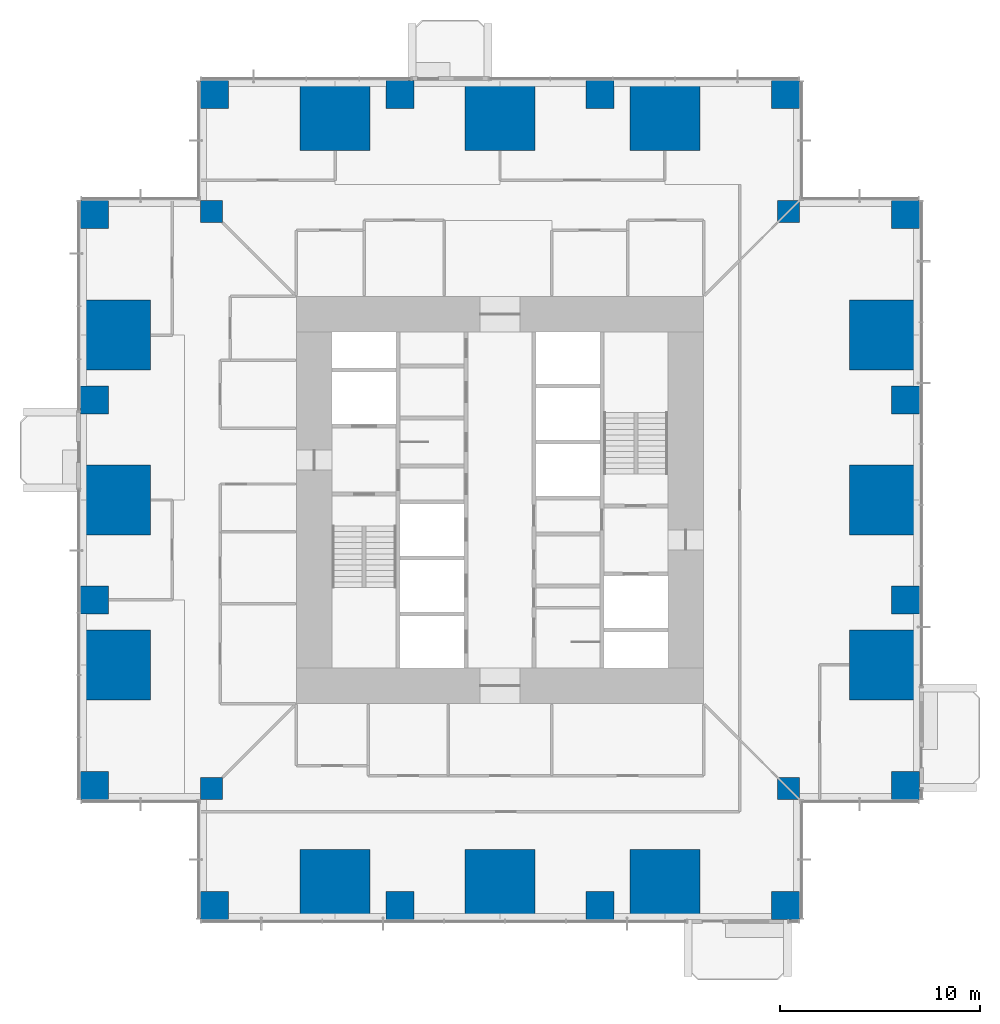
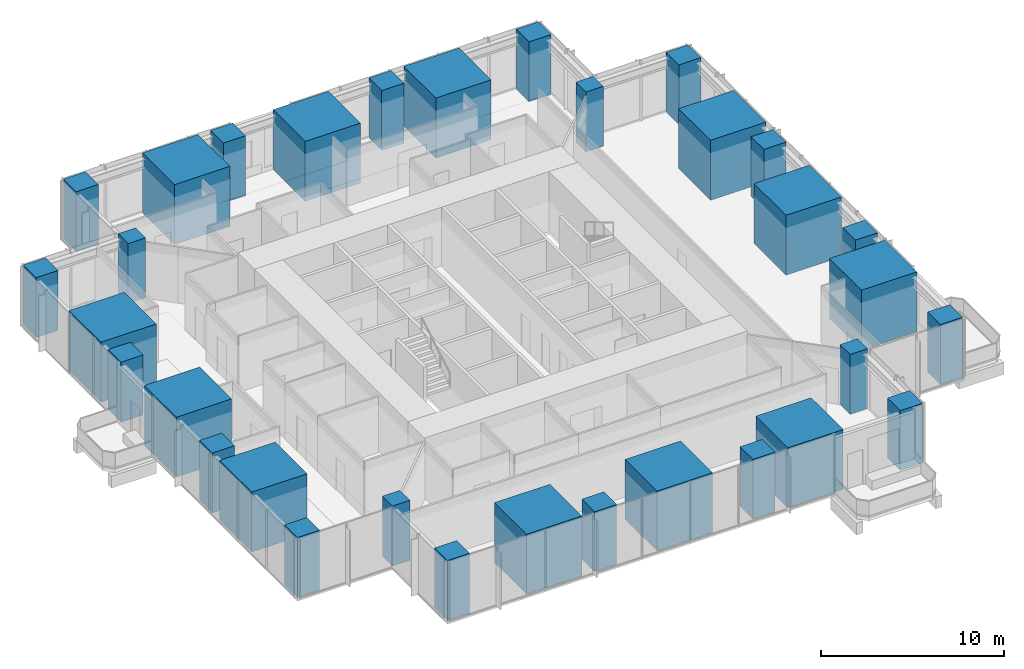
# One storey, part 1 of 15: 32 columns.
"""IFC4 building model written with IfcOpenShell, lengths in metres."""

from ifc_helpers import new_model, si_unit, direction, frame, origin, origin_2d, place, context, subcontext, project, spatial, rectangle, extrude, material, material_profile, profile_set, type_object, element, save


model = new_model("IFC4")

# Units and contexts
model_context = context("Model", 3, precision=1e-05, world=origin(), true_north=direction((0.0, 1.0)))
body_context = subcontext(model_context, "Body", "Model", "MODEL_VIEW")
ifc_project = project(units=[si_unit("LENGTHUNIT", "METRE"), si_unit("AREAUNIT", "SQUARE_METRE"), si_unit("VOLUMEUNIT", "CUBIC_METRE"), si_unit("PLANEANGLEUNIT", "RADIAN"), si_unit("MASSUNIT", "GRAM", prefix="KILO")], contexts=[model_context])

# Site, building, storey
site_placement = place(None, origin())
site = spatial("IfcSite", under=ifc_project, at=site_placement, CompositionType="ELEMENT")
building_placement = place(site_placement, origin())
building = spatial("IfcBuilding", under=site, at=building_placement, Name="Svetlomir Tower", CompositionType="ELEMENT")
storey_placement = place(building_placement, frame((0.0, 0.0, 34.5)))
storey = spatial("IfcBuildingStorey", under=building, at=storey_placement, Name="L07", CompositionType="ELEMENT", Elevation=34.5)

# Columns
ifc_material_1 = material(Name="Concrete C60/75", Category="concrete")
ifc_material_profile_1 = material_profile(ifc_material_1, rectangle(XDim=1.10009765625, YDim=1.10009765625, at=origin_2d()), Name="RC 1100x1100")
ifc_profile_set_1 = profile_set([ifc_material_profile_1], Name="Concrete C60/75")
column_type_1 = type_object("IfcColumnType", Name="COLUMN RC 1100x1100", PredefinedType="COLUMN", material=ifc_profile_set_1)
for number, where, z_axis, x_axis, name in (
    (1, (6.550048828125, 6.550048828125, 0.0), (0.0, 0.0, 1.0), (1.0, 0.0, 0.0), "Column 6/6 L07"),
    (2, (35.449951171875, 6.550048828125, 0.0), (0.0, 0.0, 1.0), (1.0, 0.0, 0.0), "Column 36/6 L07"),
    (3, (6.550048828125, 35.449951171875, 0.0), (0.0, 0.0, 1.0), (1.0, 0.0, 0.0), "Column 6/36 L07"),
    (4, (35.449951171875, 35.449951171875, 0.0), (0.0, 0.0, 1.0), (1.0, 0.0, 0.0), "Column 36/36 L07"),
):
    element("IfcColumn", number, at=place(storey_placement, frame(where, z_axis=z_axis, x_axis=x_axis)), inside=storey, type_object=column_type_1, Name=name, PredefinedType="COLUMN", context=body_context, shape_type="SweptSolid", body=[
        extrude(rectangle(XDim=1.10009765625, YDim=1.10009765625, at=origin_2d()), origin(), (0.0, 0.0, 1.0), 4.0),
    ])
ifc_material_2 = material(Name="Concrete C60/75", Category="concrete")
ifc_material_profile_2 = material_profile(ifc_material_2, rectangle(XDim=1.39990234375, YDim=1.39990234375, at=origin_2d()), Name="RC 1400x1400")
ifc_profile_set_2 = profile_set([ifc_material_profile_2], Name="Concrete C60/75")
column_type_2 = type_object("IfcColumnType", Name="COLUMN RC 1400x1400", PredefinedType="COLUMN", material=ifc_profile_set_2)
for number, where, z_axis, x_axis, name in (
    (5, (6.699951171875, 0.699951171875, 0.0), (0.0, 0.0, 1.0), (1.0, 0.0, 0.0), "Column 6/0 L07"),
    (6, (16.0, 0.699951171875, 0.0), (0.0, 0.0, 1.0), (1.0, 0.0, 0.0), "Column 16/0 L07"),
    (7, (26.0, 0.699951171875, 0.0), (0.0, 0.0, 1.0), (1.0, 0.0, 0.0), "Column 26/0 L07"),
    (8, (35.300048828125, 0.699951171875, 0.0), (0.0, 0.0, 1.0), (1.0, 0.0, 0.0), "Column 36/0 L07"),
    (9, (0.699951171875, 6.699951171875, 0.0), (0.0, 0.0, 1.0), (1.0, 0.0, 0.0), "Column 0/6 L07"),
    (10, (41.300048828125, 6.699951171875, 0.0), (0.0, 0.0, 1.0), (1.0, 0.0, 0.0), "Column 42/6 L07"),
    (11, (0.699951171875, 16.0, 0.0), (0.0, 0.0, 1.0), (1.0, 0.0, 0.0), "Column 0/16 L07"),
    (12, (41.300048828125, 16.0, 0.0), (0.0, 0.0, 1.0), (1.0, 0.0, 0.0), "Column 42/16 L07"),
    (13, (0.699951171875, 26.0, 0.0), (0.0, 0.0, 1.0), (1.0, 0.0, 0.0), "Column 0/26 L07"),
    (14, (41.300048828125, 26.0, 0.0), (0.0, 0.0, 1.0), (1.0, 0.0, 0.0), "Column 42/26 L07"),
    (15, (0.699951171875, 35.300048828125, 0.0), (0.0, 0.0, 1.0), (1.0, 0.0, 0.0), "Column 0/36 L07"),
    (16, (41.300048828125, 35.300048828125, 0.0), (0.0, 0.0, 1.0), (1.0, 0.0, 0.0), "Column 42/36 L07"),
    (17, (6.699951171875, 41.300048828125, 0.0), (0.0, 0.0, 1.0), (1.0, 0.0, 0.0), "Column 6/42 L07"),
    (18, (16.0, 41.300048828125, 0.0), (0.0, 0.0, 1.0), (1.0, 0.0, 0.0), "Column 16/42 L07"),
    (19, (26.0, 41.300048828125, 0.0), (0.0, 0.0, 1.0), (1.0, 0.0, 0.0), "Column 26/42 L07"),
    (20, (35.300048828125, 41.300048828125, 0.0), (0.0, 0.0, 1.0), (1.0, 0.0, 0.0), "Column 36/42 L07"),
):
    element("IfcColumn", number, at=place(storey_placement, frame(where, z_axis=z_axis, x_axis=x_axis)), inside=storey, type_object=column_type_2, Name=name, PredefinedType="COLUMN", context=body_context, shape_type="SweptSolid", body=[
        extrude(rectangle(XDim=1.39990234375, YDim=1.39990234375, at=origin_2d()), origin(), (0.0, 0.0, 1.0), 4.0),
    ])
ifc_material_3 = material(Name="Concrete C60/75", Category="concrete")
ifc_material_profile_3 = material_profile(ifc_material_3, rectangle(XDim=3.5, YDim=3.5, at=origin_2d()), Name="RC 3500x3500")
ifc_profile_set_3 = profile_set([ifc_material_profile_3], Name="Concrete C60/75")
column_type_3 = type_object("IfcColumnType", Name="COLUMN RC 3500x3500", PredefinedType="COLUMN", material=ifc_profile_set_3)
for number, where, z_axis, x_axis, name in (
    (21, (12.75, 1.75, 0.0), (0.0, 0.0, 1.0), (1.0, 0.0, 0.0), "Column 11/0 L07"),
    (22, (21.0, 1.75, 0.0), (0.0, 0.0, 1.0), (1.0, 0.0, 0.0), "Column 21/0 L07"),
    (23, (29.25, 1.75, 0.0), (0.0, 0.0, 1.0), (1.0, 0.0, 0.0), "Column 31/0 L07"),
    (24, (1.75, 12.75, 0.0), (0.0, 0.0, 1.0), (1.0, 0.0, 0.0), "Column 0/11 L07"),
    (25, (40.25, 12.75, 0.0), (0.0, 0.0, 1.0), (1.0, 0.0, 0.0), "Column 42/11 L07"),
    (26, (1.75, 21.0, 0.0), (0.0, 0.0, 1.0), (1.0, 0.0, 0.0), "Column 0/21 L07"),
    (27, (40.25, 21.0, 0.0), (0.0, 0.0, 1.0), (1.0, 0.0, 0.0), "Column 42/21 L07"),
    (28, (1.75, 29.25, 0.0), (0.0, 0.0, 1.0), (1.0, 0.0, 0.0), "Column 0/31 L07"),
    (29, (40.25, 29.25, 0.0), (0.0, 0.0, 1.0), (1.0, 0.0, 0.0), "Column 42/31 L07"),
    (30, (12.75, 40.25, 0.0), (0.0, 0.0, 1.0), (1.0, 0.0, 0.0), "Column 11/42 L07"),
    (31, (21.0, 40.25, 0.0), (0.0, 0.0, 1.0), (1.0, 0.0, 0.0), "Column 21/42 L07"),
    (32, (29.25, 40.25, 0.0), (0.0, 0.0, 1.0), (1.0, 0.0, 0.0), "Column 31/42 L07"),
):
    element("IfcColumn", number, at=place(storey_placement, frame(where, z_axis=z_axis, x_axis=x_axis)), inside=storey, type_object=column_type_3, Name=name, PredefinedType="COLUMN", context=body_context, shape_type="SweptSolid", body=[
        extrude(rectangle(XDim=3.5, YDim=3.5, at=origin_2d()), origin(), (0.0, 0.0, 1.0), 4.0),
    ])

save(model, "model.ifc")
